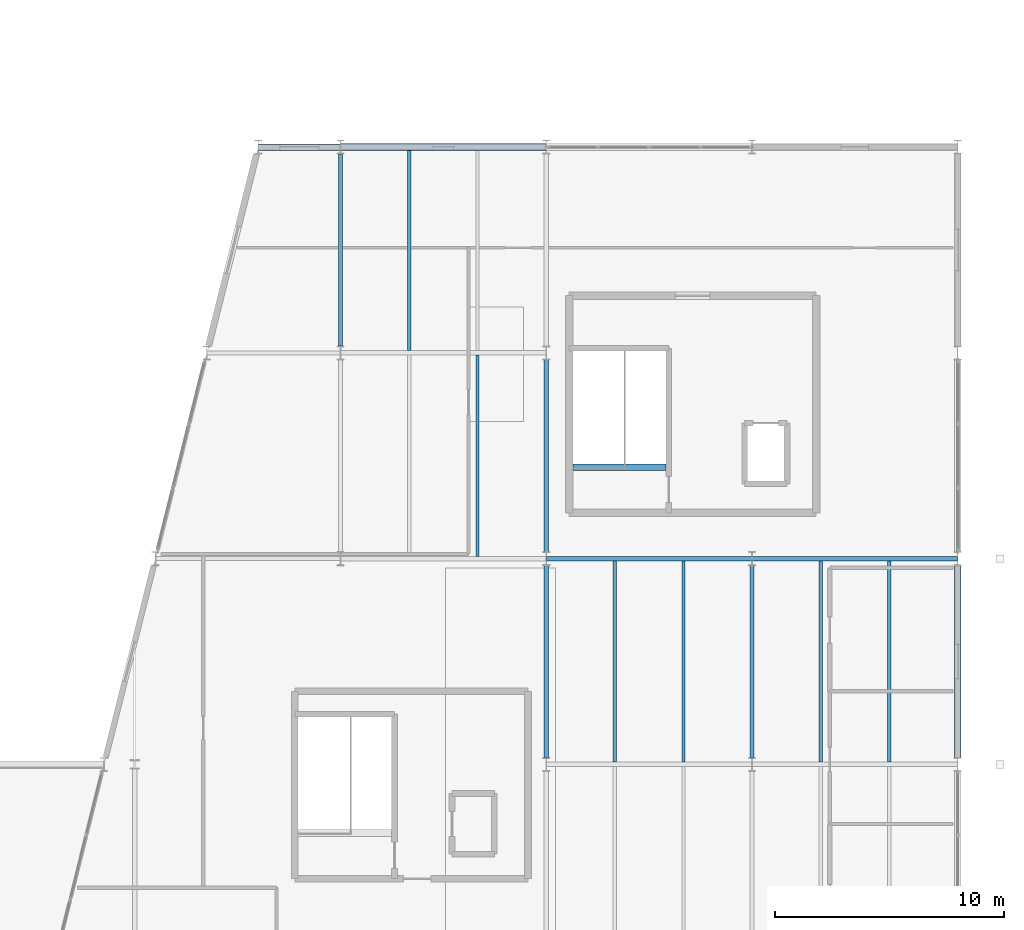
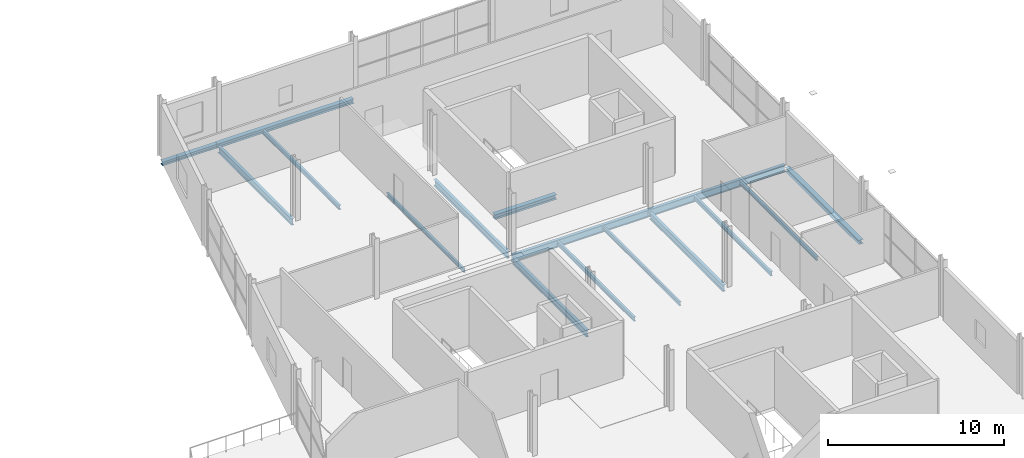
# One storey, part 25 of 44: 16 beams.
"""IFC4 building model written with IfcOpenShell, lengths in metres."""

from ifc_helpers import new_model, si_unit, direction, frame, origin, origin_2d, place, context, subcontext, project, spatial, i_section, extrude, material, material_profile, profile_set, type_object, element, save


model = new_model("IFC4")

# Units and contexts
model_context = context("Model", 3, precision=1e-05, world=origin(), true_north=direction((0.0, 1.0)))
body_context = subcontext(model_context, "Body", "Model", "MODEL_VIEW")
ifc_project = project(units=[si_unit("LENGTHUNIT", "METRE"), si_unit("AREAUNIT", "SQUARE_METRE"), si_unit("VOLUMEUNIT", "CUBIC_METRE"), si_unit("PLANEANGLEUNIT", "RADIAN"), si_unit("MASSUNIT", "GRAM", prefix="KILO")], contexts=[model_context])

# Site, building, storey
site_placement = place(None, origin())
site = spatial("IfcSite", under=ifc_project, at=site_placement, CompositionType="ELEMENT")
building_placement = place(site_placement, origin())
building = spatial("IfcBuilding", under=site, at=building_placement, Name="Deido Ridge Mobility Hub", CompositionType="ELEMENT")
storey_placement = place(building_placement, frame((0.0, 0.0, 25.199951171875)))
storey = spatial("IfcBuildingStorey", under=building, at=storey_placement, Name="L06", CompositionType="ELEMENT", Elevation=25.199951171875)

# Beams
ifc_material = material(Name="Steel S355J2 EN 10025-2", Category="steel")
ifc_material_profile_1 = material_profile(ifc_material, i_section(OverallWidth=0.300048828125, OverallDepth=0.330078125, WebThickness=0.009521484375, FlangeThickness=0.0166015625, FilletRadius=0.027099609375, at=origin_2d()), Name="HEA 340")
ifc_profile_set_1 = profile_set([ifc_material_profile_1], Name="Steel S355J2 EN 10025-2")
beam_type_1 = type_object("IfcBeamType", Name="BM-HEA340", PredefinedType="BEAM", material=ifc_profile_set_1)
beam_1_placement = place(storey_placement, frame((163.16259765625, 40.0, -0.405029296875), z_axis=(1.0, 0.0, 0.0), x_axis=(0.0, 1.0, 0.0)))
element("IfcBeam", 1, at=beam_1_placement, inside=storey, type_object=beam_type_1, Name="C2 stair landing trimmer beam B6", PredefinedType="BEAM", context=body_context, shape_type="SweptSolid", body=[
    extrude(i_section(OverallWidth=0.300048828125, OverallDepth=0.330078125, WebThickness=0.009521484375, FlangeThickness=0.0166015625, FilletRadius=0.027099609375, at=origin_2d()), origin(), (0.0, 0.0, 1.0), 4.072509765625),
])
ifc_material_profile_2 = material_profile(ifc_material, i_section(OverallWidth=0.18994140625, OverallDepth=0.449951171875, WebThickness=0.009521484375, FlangeThickness=0.0146484375, FilletRadius=0.02099609375, at=origin_2d()), Name="IPE 450")
ifc_profile_set_2 = profile_set([ifc_material_profile_2], Name="Steel S355J2 EN 10025-2")
beam_type_2 = type_object("IfcBeamType", Name="BM-IPE450", PredefinedType="BEAM", material=ifc_profile_set_2)
for number, where, z_axis, x_axis, name in (
    (2, (153.0, 45.300048828125, -0.46484375), (0.0, 1.0, 0.0), (-1.0, 0.0, 0.0), "Floor beam B4"),
    (3, (162.0, 27.300048828125, -0.46484375), (0.0, 1.0, 0.0), (-1.0, 0.0, 0.0), "Floor beam B4"),
    (4, (162.0, 36.300048828125, -0.46484375), (0.0, 1.0, 0.0), (-1.0, 0.0, 0.0), "Floor beam B4"),
    (5, (171.0, 27.300048828125, -0.46484375), (0.0, 1.0, 0.0), (-1.0, 0.0, 0.0), "Floor beam B4"),
):
    element("IfcBeam", number, at=place(storey_placement, frame(where, z_axis=z_axis, x_axis=x_axis)), inside=storey, type_object=beam_type_2, Name=name, PredefinedType="BEAM", context=body_context, shape_type="SweptSolid", body=[
        extrude(i_section(OverallWidth=0.18994140625, OverallDepth=0.449951171875, WebThickness=0.009521484375, FlangeThickness=0.0146484375, FilletRadius=0.02099609375, at=origin_2d()), origin(), (0.0, 0.0, 1.0), 8.39990234375),
    ])
ifc_material_profile_3 = material_profile(ifc_material, i_section(OverallWidth=0.199951171875, OverallDepth=0.5, WebThickness=0.01025390625, FlangeThickness=0.01611328125, FilletRadius=0.02099609375, at=origin_2d()), Name="IPE 500")
ifc_profile_set_3 = profile_set([ifc_material_profile_3], Name="Steel S355J2 EN 10025-2")
beam_type_3 = type_object("IfcBeamType", Name="BM-IPE500", PredefinedType="BEAM", material=ifc_profile_set_3)
for number, where, z_axis, x_axis, name in (
    (6, (162.0078125, 36.0, -0.489990234375), (1.0, 0.0, 0.0), (0.0, 1.0, 0.0), "Floor beam B3"),
    (7, (171.0078125, 36.0, -0.489990234375), (1.0, 0.0, 0.0), (0.0, 1.0, 0.0), "Floor beam B3"),
):
    element("IfcBeam", number, at=place(storey_placement, frame(where, z_axis=z_axis, x_axis=x_axis)), inside=storey, type_object=beam_type_3, Name=name, PredefinedType="BEAM", context=body_context, shape_type="SweptSolid", body=[
        extrude(i_section(OverallWidth=0.199951171875, OverallDepth=0.5, WebThickness=0.01025390625, FlangeThickness=0.01611328125, FilletRadius=0.02099609375, at=origin_2d()), origin(), (0.0, 0.0, 1.0), 8.984375),
    ])
ifc_material_profile_4 = material_profile(ifc_material, i_section(OverallWidth=0.135009765625, OverallDepth=0.27001953125, WebThickness=0.006591796875, FlangeThickness=0.01025390625, FilletRadius=0.014892578125, at=origin_2d()), Name="IPE 270")
ifc_profile_set_4 = profile_set([ifc_material_profile_4], Name="Steel S355J2 EN 10025-2")
beam_type_4 = type_object("IfcBeamType", Name="JST-IPE270", PredefinedType="JOIST", material=ifc_profile_set_4)
for number, where, z_axis, x_axis, name in (
    (8, (168.0, 27.10009765625, -0.375), (0.0, 1.0, 0.0), (-1.0, 0.0, 0.0), "Composite joist J4"),
    (9, (177.0, 27.10009765625, -0.375), (0.0, 1.0, 0.0), (-1.0, 0.0, 0.0), "Composite joist J4"),
    (10, (159.0, 36.10009765625, -0.375), (0.0, 1.0, 0.0), (-1.0, 0.0, 0.0), "Composite joist J4"),
):
    element("IfcBeam", number, at=place(storey_placement, frame(where, z_axis=z_axis, x_axis=x_axis)), inside=storey, type_object=beam_type_4, Name=name, PredefinedType="JOIST", context=body_context, shape_type="SweptSolid", body=[
        extrude(i_section(OverallWidth=0.135009765625, OverallDepth=0.27001953125, WebThickness=0.006591796875, FlangeThickness=0.01025390625, FilletRadius=0.014892578125, at=origin_2d()), origin(), (0.0, 0.0, 1.0), 8.7998046875),
    ])
ifc_material_profile_5 = material_profile(ifc_material, i_section(OverallWidth=0.14990234375, OverallDepth=0.300048828125, WebThickness=0.007080078125, FlangeThickness=0.0107421875, FilletRadius=0.014892578125, at=origin_2d()), Name="IPE 300")
ifc_profile_set_5 = profile_set([ifc_material_profile_5], Name="Steel S355J2 EN 10025-2")
beam_type_5 = type_object("IfcBeamType", Name="JST-IPE300", PredefinedType="JOIST", material=ifc_profile_set_5)
for number, where, z_axis, x_axis, name in (
    (11, (165.0, 27.10009765625, -0.389892578125), (0.0, 1.0, 0.0), (-1.0, 0.0, 0.0), "Composite joist J3"),
    (12, (174.0, 27.10009765625, -0.389892578125), (0.0, 1.0, 0.0), (-1.0, 0.0, 0.0), "Composite joist J3"),
):
    element("IfcBeam", number, at=place(storey_placement, frame(where, z_axis=z_axis, x_axis=x_axis)), inside=storey, type_object=beam_type_5, Name=name, PredefinedType="JOIST", context=body_context, shape_type="SweptSolid", body=[
        extrude(i_section(OverallWidth=0.14990234375, OverallDepth=0.300048828125, WebThickness=0.007080078125, FlangeThickness=0.0107421875, FilletRadius=0.014892578125, at=origin_2d()), origin(), (0.0, 0.0, 1.0), 8.7998046875),
    ])
beam_2_placement = place(storey_placement, frame((156.0, 45.10009765625, -0.389892578125), z_axis=(0.0, 1.0, 0.0), x_axis=(-1.0, 0.0, 0.0)))
element("IfcBeam", 13, at=beam_2_placement, inside=storey, type_object=beam_type_5, Name="Composite joist J3", PredefinedType="JOIST", context=body_context, shape_type="SweptSolid", body=[
    extrude(i_section(OverallWidth=0.14990234375, OverallDepth=0.300048828125, WebThickness=0.007080078125, FlangeThickness=0.0107421875, FilletRadius=0.014892578125, at=origin_2d()), origin(), (0.0, 0.0, 1.0), 8.75),
])
ifc_material_profile_6 = material_profile(ifc_material, i_section(OverallWidth=0.280029296875, OverallDepth=0.27001953125, WebThickness=0.008056640625, FlangeThickness=0.012939453125, FilletRadius=0.02392578125, at=origin_2d()), Name="HEA 280")
ifc_profile_set_6 = profile_set([ifc_material_profile_6], Name="Steel S355J2 EN 10025-2")
beam_type_6 = type_object("IfcBeamType", Name="SPD-HEA280", PredefinedType="SPANDREL", material=ifc_profile_set_6)
beam_3_placement = place(storey_placement, frame((149.40771484375, 54.0, -0.375), z_axis=(1.0, 0.0, 0.0), x_axis=(0.0, 1.0, 0.0)))
element("IfcBeam", 14, at=beam_3_placement, inside=storey, type_object=beam_type_6, Name="Floor beam SP2", PredefinedType="SPANDREL", context=body_context, shape_type="SweptSolid", body=[
    extrude(i_section(OverallWidth=0.280029296875, OverallDepth=0.27001953125, WebThickness=0.008056640625, FlangeThickness=0.012939453125, FilletRadius=0.02392578125, at=origin_2d()), origin(), (0.0, 0.0, 1.0), 3.58447265625),
])
ifc_material_profile_7 = material_profile(ifc_material, i_section(OverallWidth=0.300048828125, OverallDepth=0.300048828125, WebThickness=0.010986328125, FlangeThickness=0.01904296875, FilletRadius=0.027099609375, at=origin_2d()), Name="HEB 300")
ifc_profile_set_7 = profile_set([ifc_material_profile_7], Name="Steel S355J2 EN 10025-2")
beam_type_7 = type_object("IfcBeamType", Name="SPD-HEB300", PredefinedType="SPANDREL", material=ifc_profile_set_7)
beam_4_placement = place(storey_placement, frame((153.0078125, 54.0, -0.389892578125), z_axis=(1.0, 0.0, 0.0), x_axis=(0.0, 1.0, 0.0)))
element("IfcBeam", 15, at=beam_4_placement, inside=storey, type_object=beam_type_7, Name="Floor beam SP1", PredefinedType="SPANDREL", context=body_context, shape_type="SweptSolid", body=[
    extrude(i_section(OverallWidth=0.300048828125, OverallDepth=0.300048828125, WebThickness=0.010986328125, FlangeThickness=0.01904296875, FilletRadius=0.027099609375, at=origin_2d()), origin(), (0.0, 0.0, 1.0), 8.984375),
])
beam_5_placement = place(storey_placement, frame((180.0, 27.300048828125, -0.389892578125), z_axis=(0.0, 1.0, 0.0), x_axis=(-1.0, 0.0, 0.0)))
element("IfcBeam", 16, at=beam_5_placement, inside=storey, type_object=beam_type_7, Name="Floor beam SP1", PredefinedType="SPANDREL", context=body_context, shape_type="SweptSolid", body=[
    extrude(i_section(OverallWidth=0.300048828125, OverallDepth=0.300048828125, WebThickness=0.010986328125, FlangeThickness=0.01904296875, FilletRadius=0.027099609375, at=origin_2d()), origin(), (0.0, 0.0, 1.0), 8.39990234375),
])

save(model, "model.ifc")
